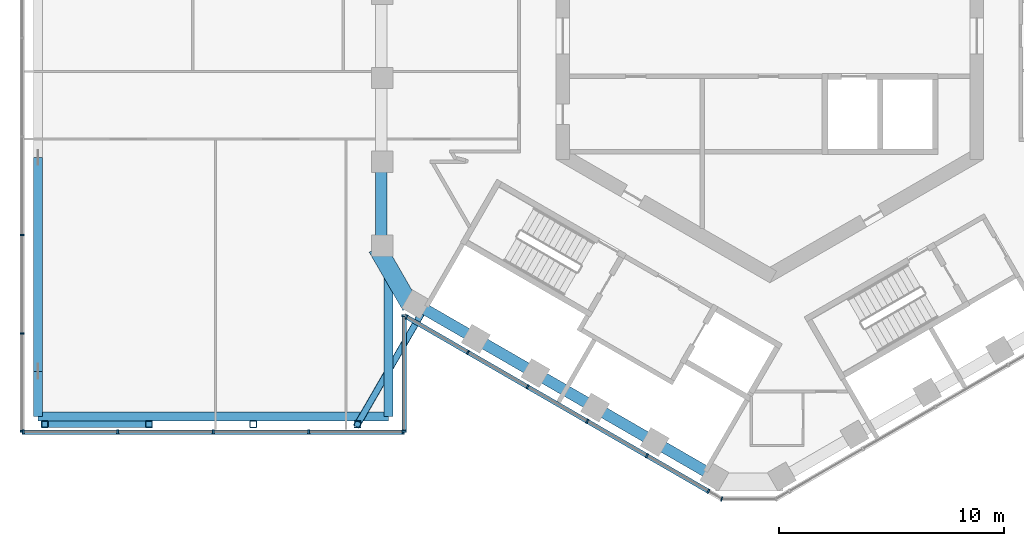
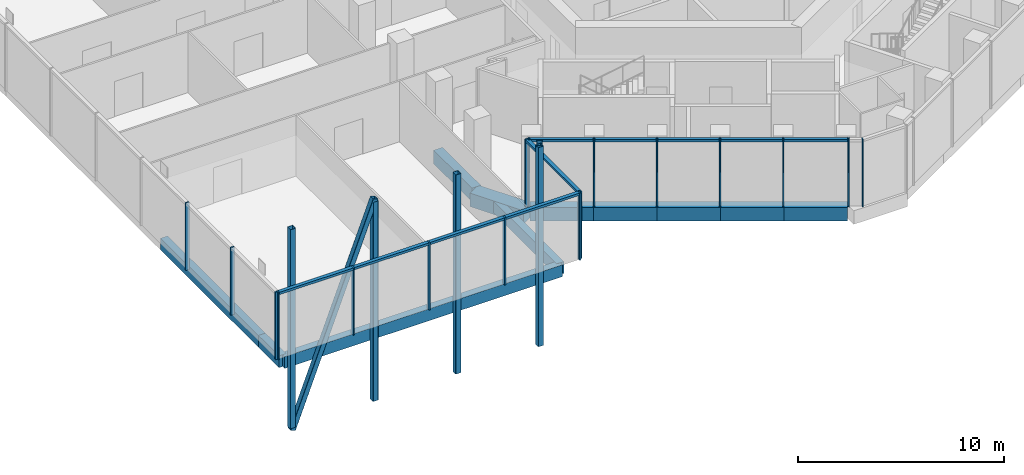
# One storey, part 2 of 21: 26 members, 11 beams, 5 elements without a shape of their own.
"""IFC4 building model written with IfcOpenShell, lengths in metres."""

from ifc_helpers import new_model, si_unit, direction, frame, origin, origin_2d, place, context, subcontext, project, spatial, rectangle, hollow_rectangle, extrude, material, layer, layer_set, material_profile, profile_set, type_object, element, aggregate, save


model = new_model("IFC4")

# Units and contexts
model_context = context("Model", 3, precision=1e-05, world=origin(), true_north=direction((0.0, 1.0)))
body_context = subcontext(model_context, "Body", "Model", "MODEL_VIEW")
ifc_project = project(units=[si_unit("LENGTHUNIT", "METRE"), si_unit("AREAUNIT", "SQUARE_METRE"), si_unit("VOLUMEUNIT", "CUBIC_METRE"), si_unit("PLANEANGLEUNIT", "RADIAN"), si_unit("MASSUNIT", "GRAM", prefix="KILO")], contexts=[model_context])

# Site, building, storey
site_placement = place(None, origin())
site = spatial("IfcSite", under=ifc_project, at=site_placement, CompositionType="ELEMENT")
building_placement = place(site_placement, origin())
building = spatial("IfcBuilding", under=site, at=building_placement, Name="Ayvan Gate Tower", CompositionType="ELEMENT")
storey_placement = place(building_placement, frame((0.0, 0.0, 206.10009765625)))
storey = spatial("IfcBuildingStorey", under=building, at=storey_placement, Name="L55", CompositionType="ELEMENT", Elevation=206.10009765625)

# Beams
ifc_material_1 = material(Name="Concrete C40/50", Category="concrete")
ifc_material_profile_1 = material_profile(ifc_material_1, rectangle(XDim=0.800048828125, YDim=0.800048828125, at=origin_2d()), Name="RC 800x800")
ifc_profile_set_1 = profile_set([ifc_material_profile_1], Name="Concrete C40/50")
beam_type_1 = type_object("IfcBeamType", Name="Corner spandrel beam RC 800x800 C40/50", PredefinedType="BEAM", material=ifc_profile_set_1)
beam_1_placement = place(storey_placement, frame((-17.458984375, -9.407958984375, -0.800048828125), z_axis=(0.499990139034, -0.866031096941, 0.0), x_axis=(0.866031096941, 0.499990139034, 0.0)))
element("IfcBeam", 1, at=beam_1_placement, inside=storey, type_object=beam_type_1, Name="SB-L55-24", PredefinedType="BEAM", context=body_context, shape_type="SweptSolid", body=[
    extrude(rectangle(XDim=0.800048828125, YDim=0.800048828125, at=origin_2d()), origin(), (0.0, 0.0, 1.0), 3.0),
])
ifc_material_profile_2 = material_profile(ifc_material_1, rectangle(XDim=0.39990234375, YDim=0.699951171875, at=origin_2d()), Name="RC 400x700")
ifc_profile_set_2 = profile_set([ifc_material_profile_2], Name="Concrete C40/50")
beam_type_2 = type_object("IfcBeamType", Name="Sky bar edge beam RC 400x700 C40/50", PredefinedType="BEAM", material=ifc_profile_set_2)
beam_2_placement = place(storey_placement, frame((-16.954345703125, -10.5029296875, -0.75), z_axis=(0.0, -1.0, 0.0), x_axis=(1.0, 0.0, 0.0)))
element("IfcBeam", 2, at=beam_2_placement, inside=storey, type_object=beam_type_2, Name="EB-B5-L55-1", PredefinedType="BEAM", context=body_context, shape_type="SweptSolid", body=[
    extrude(rectangle(XDim=0.39990234375, YDim=0.699951171875, at=origin_2d()), origin(), (0.0, 0.0, 1.0), 6.39697265625),
])
beam_3_placement = place(storey_placement, frame((-16.954345703125, -16.89990234375, -0.75), z_axis=(-1.0, 0.0, 0.0), x_axis=(0.0, -1.0, 0.0)))
element("IfcBeam", 3, at=beam_3_placement, inside=storey, type_object=beam_type_2, Name="EB-B5-L55-2", PredefinedType="BEAM", context=body_context, shape_type="SweptSolid", body=[
    extrude(rectangle(XDim=0.39990234375, YDim=0.699951171875, at=origin_2d()), origin(), (0.0, 0.0, 1.0), 15.56982421875),
])
beam_4_placement = place(storey_placement, frame((-32.524169921875, -16.89990234375, -0.75), z_axis=(0.0, 1.0, 0.0), x_axis=(-1.0, 0.0, 0.0)))
element("IfcBeam", 4, at=beam_4_placement, inside=storey, type_object=beam_type_2, Name="EB-B5-L55-3", PredefinedType="BEAM", context=body_context, shape_type="SweptSolid", body=[
    extrude(rectangle(XDim=0.39990234375, YDim=0.699951171875, at=origin_2d()), origin(), (0.0, 0.0, 1.0), 1.999755859375),
])
beam_5_placement = place(storey_placement, frame((-32.524169921875, -14.900146484375, -0.75), z_axis=(0.0, 1.0, 0.0), x_axis=(-1.0, 0.0, 0.0)))
element("IfcBeam", 5, at=beam_5_placement, inside=storey, type_object=beam_type_2, Name="EB-B5-L55-4", PredefinedType="BEAM", context=body_context, shape_type="SweptSolid", body=[
    extrude(rectangle(XDim=0.39990234375, YDim=0.699951171875, at=origin_2d()), origin(), (0.0, 0.0, 1.0), 9.5),
])

# Members
ifc_material_2 = material(Name="Steel S460NH", Category="steel")
ifc_material_profile_3 = material_profile(ifc_material_2, hollow_rectangle(XDim=0.300048828125, YDim=0.300048828125, WallThickness=0.01611328125, InnerFilletRadius=0.01611328125, OuterFilletRadius=0.02392578125, at=origin_2d()), Name="RHS 300x300x16")
ifc_profile_set_3 = profile_set([ifc_material_profile_3], Name="Steel S460NH")
member_type_1 = type_object("IfcMemberType", Name="Sky bar truss brace B5 RHS 300x300x16", PredefinedType="BRACE", material=ifc_profile_set_3)
member_1_placement = place(storey_placement, frame((-15.36474609375, -12.129150390625, -4.7001953125), z_axis=(-0.219706576253, -0.380526280187, 0.89829214092), x_axis=(0.866015917575, -0.500016430238, 0.0)))
element("IfcMember", 6, at=member_1_placement, inside=storey, type_object=member_type_1, Name="SBX5-A-D-1", PredefinedType="BRACE", context=body_context, shape_type="SweptSolid", body=[
    extrude(hollow_rectangle(XDim=0.300048828125, YDim=0.300048828125, WallThickness=0.01611328125, InnerFilletRadius=0.01611328125, OuterFilletRadius=0.02392578125, at=origin_2d()), origin(), (0.0, 0.0, 1.0), 13.47021484375),
])
member_2_placement = place(storey_placement, frame((-27.5908203125, -17.2548828125, 7.39990234375), z_axis=(-0.357611255128, 0.0, -0.93387054253), x_axis=(0.0, -1.0, 0.0)))
element("IfcMember", 7, at=member_2_placement, inside=storey, type_object=member_type_1, Name="SBX5-A-D-4", PredefinedType="BRACE", context=body_context, shape_type="SweptSolid", body=[
    extrude(hollow_rectangle(XDim=0.300048828125, YDim=0.300048828125, WallThickness=0.01611328125, InnerFilletRadius=0.01611328125, OuterFilletRadius=0.02392578125, at=origin_2d()), origin(), (0.0, 0.0, 1.0), 12.95703125),
])
ifc_material_profile_4 = material_profile(ifc_material_2, hollow_rectangle(XDim=0.300048828125, YDim=0.300048828125, WallThickness=0.012451171875, InnerFilletRadius=0.012451171875, OuterFilletRadius=0.018798828125, at=origin_2d()), Name="RHS 300x300x12.5")
ifc_profile_set_4 = profile_set([ifc_material_profile_4], Name="Steel S460NH")
member_type_2 = type_object("IfcMemberType", Name="Sky bar truss post B5 RHS 300x300x12.5", PredefinedType="POST", material=ifc_profile_set_4)
for number, where, z_axis, x_axis, name in (
    (8, (-18.32421875, -17.2548828125, -4.550048828125), (0.0, 0.0, 1.0), (1.0, 0.0, 0.0), "SBX5-A-P-1"),
    (9, (-22.95751953125, -17.2548828125, -4.550048828125), (0.0, 0.0, 1.0), (1.0, 0.0, 0.0), "SBX5-A-P-2"),
    (10, (-27.5908203125, -17.2548828125, -4.550048828125), (0.0, 0.0, 1.0), (1.0, 0.0, 0.0), "SBX5-A-P-3"),
    (11, (-32.224365234375, -17.2548828125, -4.550048828125), (0.0, 0.0, 1.0), (1.0, 0.0, 0.0), "SBX5-A-P-4"),
):
    element("IfcMember", number, at=place(storey_placement, frame(where, z_axis=z_axis, x_axis=x_axis)), inside=storey, type_object=member_type_2, Name=name, PredefinedType="POST", context=body_context, shape_type="SweptSolid", body=[
        extrude(hollow_rectangle(XDim=0.300048828125, YDim=0.300048828125, WallThickness=0.012451171875, InnerFilletRadius=0.012451171875, OuterFilletRadius=0.018798828125, at=origin_2d()), origin(), (0.0, 0.0, 1.0), 11.800048828125),
    ])

# Beams
ifc_material_profile_5 = material_profile(ifc_material_1, rectangle(XDim=0.5, YDim=0.800048828125, at=origin_2d()), Name="RC 500x800")
ifc_profile_set_5 = profile_set([ifc_material_profile_5], Name="Concrete C40/50")
beam_type_3 = type_object("IfcBeamType", Name="Spandrel beam RC 500x800 C40/50", PredefinedType="BEAM", material=ifc_profile_set_5)
beam_6_placement = place(storey_placement, frame((-17.268310546875, -5.578857421875, -0.800048828125), z_axis=(0.0, -1.0, 0.0), x_axis=(1.0, 0.0, 0.0)))
element("IfcBeam", 12, at=beam_6_placement, inside=storey, type_object=beam_type_3, Name="SB-L55-23", PredefinedType="BEAM", context=body_context, shape_type="SweptSolid", body=[
    extrude(rectangle(XDim=0.5, YDim=0.800048828125, at=origin_2d()), origin(), (0.0, 0.0, 1.0), 3.71923828125),
])
beam_7_placement = place(storey_placement, frame((-15.768310546875, -11.89599609375, -0.800048828125), z_axis=(0.865987770738, -0.500065176684, 0.0), x_axis=(0.500065176684, 0.865987770738, 0.0)))
element("IfcBeam", 13, at=beam_7_placement, inside=storey, type_object=beam_type_3, Name="SB-L55-25", PredefinedType="BEAM", context=body_context, shape_type="SweptSolid", body=[
    extrude(rectangle(XDim=0.5, YDim=0.800048828125, at=origin_2d()), origin(), (0.0, 0.0, 1.0), 3.0830078125),
])
beam_8_placement = place(storey_placement, frame((-13.098388671875, -13.437744140625, -0.800048828125), z_axis=(0.866041857893, -0.499971499565, 0.0), x_axis=(0.499971499565, 0.866041857893, 0.0)))
element("IfcBeam", 14, at=beam_8_placement, inside=storey, type_object=beam_type_3, Name="SB-L55-26", PredefinedType="BEAM", context=body_context, shape_type="SweptSolid", body=[
    extrude(rectangle(XDim=0.5, YDim=0.800048828125, at=origin_2d()), origin(), (0.0, 0.0, 1.0), 3.083251953125),
])
beam_9_placement = place(storey_placement, frame((-10.42822265625, -14.979248046875, -0.800048828125), z_axis=(0.866022061966, -0.500005788154, 0.0), x_axis=(0.500005788154, 0.866022061966, 0.0)))
element("IfcBeam", 15, at=beam_9_placement, inside=storey, type_object=beam_type_3, Name="SB-L55-27", PredefinedType="BEAM", context=body_context, shape_type="SweptSolid", body=[
    extrude(rectangle(XDim=0.5, YDim=0.800048828125, at=origin_2d()), origin(), (0.0, 0.0, 1.0), 3.0830078125),
])
beam_10_placement = place(storey_placement, frame((-7.75830078125, -16.520751953125, -0.800048828125), z_axis=(0.866041857893, -0.499971499565, 0.0), x_axis=(0.499971499565, 0.866041857893, 0.0)))
element("IfcBeam", 16, at=beam_10_placement, inside=storey, type_object=beam_type_3, Name="SB-L55-28", PredefinedType="BEAM", context=body_context, shape_type="SweptSolid", body=[
    extrude(rectangle(XDim=0.5, YDim=0.800048828125, at=origin_2d()), origin(), (0.0, 0.0, 1.0), 3.083251953125),
])
beam_11_placement = place(storey_placement, frame((-5.088134765625, -18.062255859375, -0.800048828125), z_axis=(0.865987770738, -0.500065176684, 0.0), x_axis=(0.500065176684, 0.865987770738, 0.0)))
element("IfcBeam", 17, at=beam_11_placement, inside=storey, type_object=beam_type_3, Name="SB-L55-29", PredefinedType="BEAM", context=body_context, shape_type="SweptSolid", body=[
    extrude(rectangle(XDim=0.5, YDim=0.800048828125, at=origin_2d()), origin(), (0.0, 0.0, 1.0), 3.0830078125),
])

# Curtain wall, members
ifc_material_3 = material(Name="Bronze anodised aluminium", Category="aluminium")
ifc_layer_1 = layer(ifc_material_3, 0.199951171875)
ifc_layer_set_1 = layer_set([ifc_layer_1], Name="Bronze anodised aluminium")
curtain_wall_type_1 = type_object("IfcCurtainWallType", Name="Stick curtain wall CW-2", PredefinedType="NOTDEFINED", material=ifc_layer_set_1)
curtain_wall_1_placement = place(storey_placement, origin())
curtain_wall_1 = element("IfcCurtainWall", 18, at=curtain_wall_1_placement, inside=storey, type_object=curtain_wall_type_1, Name="Stick curtain wall CW-2 L55", PredefinedType="NOTDEFINED")
ifc_material_profile_6 = material_profile(ifc_material_3, rectangle(XDim=0.199951171875, YDim=0.070068359375, at=origin_2d()), Name="Stick curtain wall CW-2 mullion 200 x 70")
ifc_profile_set_6 = profile_set([ifc_material_profile_6], Name="Bronze anodised aluminium")
member_type_3 = type_object("IfcMemberType", Name="Stick curtain wall CW-2 mullion 200 x 70", PredefinedType="MULLION", material=ifc_profile_set_6)
member_3_placement = place(storey_placement, frame((-16.154052734375, -12.48193359375, 0.0), z_axis=(0.0, 0.0, 1.0), x_axis=(-0.5, -0.866025403784, 0.0)))
member_3 = element("IfcMember", 19, at=member_3_placement, type_object=member_type_3, Name="CW-2 mullion 1", PredefinedType="MULLION", context=body_context, shape_type="SweptSolid", body=[
    extrude(rectangle(XDim=0.199951171875, YDim=0.070068359375, at=origin_2d()), origin(), (0.0, 0.0, 1.0), 4.0),
])
member_4_placement = place(storey_placement, frame((-13.4189453125, -14.060791015625, 0.0), z_axis=(0.0, 0.0, 1.0), x_axis=(-0.5, -0.866025403784, 0.0)))
member_4 = element("IfcMember", 20, at=member_4_placement, type_object=member_type_3, Name="CW-2 mullion 2", PredefinedType="MULLION", context=body_context, shape_type="SweptSolid", body=[
    extrude(rectangle(XDim=0.199951171875, YDim=0.070068359375, at=origin_2d()), origin(), (0.0, 0.0, 1.0), 4.0),
])
member_5_placement = place(storey_placement, frame((-10.76806640625, -15.59130859375, 0.0), z_axis=(0.0, 0.0, 1.0), x_axis=(-0.5, -0.866025403784, 0.0)))
member_5 = element("IfcMember", 21, at=member_5_placement, type_object=member_type_3, Name="CW-2 mullion 3", PredefinedType="MULLION", context=body_context, shape_type="SweptSolid", body=[
    extrude(rectangle(XDim=0.199951171875, YDim=0.070068359375, at=origin_2d()), origin(), (0.0, 0.0, 1.0), 4.0),
])
member_6_placement = place(storey_placement, frame((-8.1181640625, -17.121337890625, 0.0), z_axis=(0.0, 0.0, 1.0), x_axis=(-0.5, -0.866025403784, 0.0)))
member_6 = element("IfcMember", 22, at=member_6_placement, type_object=member_type_3, Name="CW-2 mullion 4", PredefinedType="MULLION", context=body_context, shape_type="SweptSolid", body=[
    extrude(rectangle(XDim=0.199951171875, YDim=0.070068359375, at=origin_2d()), origin(), (0.0, 0.0, 1.0), 4.0),
])
member_7_placement = place(storey_placement, frame((-5.46728515625, -18.65185546875, 0.0), z_axis=(0.0, 0.0, 1.0), x_axis=(-0.5, -0.866025403784, 0.0)))
member_7 = element("IfcMember", 23, at=member_7_placement, type_object=member_type_3, Name="CW-2 mullion 5", PredefinedType="MULLION", context=body_context, shape_type="SweptSolid", body=[
    extrude(rectangle(XDim=0.199951171875, YDim=0.070068359375, at=origin_2d()), origin(), (0.0, 0.0, 1.0), 4.0),
])
member_8_placement = place(storey_placement, frame((-2.732666015625, -20.230712890625, 0.0), z_axis=(0.0, 0.0, 1.0), x_axis=(-0.5, -0.866025403784, 0.0)))
member_8 = element("IfcMember", 24, at=member_8_placement, type_object=member_type_3, Name="CW-2 mullion 6", PredefinedType="MULLION", context=body_context, shape_type="SweptSolid", body=[
    extrude(rectangle(XDim=0.199951171875, YDim=0.070068359375, at=origin_2d()), origin(), (0.0, 0.0, 1.0), 4.0),
])
ifc_material_profile_7 = material_profile(ifc_material_3, rectangle(XDim=0.199951171875, YDim=0.1201171875, at=origin_2d()), Name="Stick curtain wall CW-2 transom 200 x 120")
ifc_profile_set_7 = profile_set([ifc_material_profile_7], Name="Bronze anodised aluminium")
member_type_4 = type_object("IfcMemberType", Name="Stick curtain wall CW-2 transom 200 x 120", PredefinedType="USERDEFINED", material=ifc_profile_set_7)
member_9_placement = place(storey_placement, frame((-16.154052734375, -12.48193359375, 3.93994140625), z_axis=(0.866027134363, -0.499997002538, 0.0), x_axis=(0.499997002538, 0.866027134363, 0.0)))
member_9 = element("IfcMember", 25, at=member_9_placement, type_object=member_type_4, Name="CW-2 transom 1", ObjectType="TRANSOM", PredefinedType="USERDEFINED", context=body_context, shape_type="SweptSolid", body=[
    extrude(rectangle(XDim=0.199951171875, YDim=0.1201171875, at=origin_2d()), origin(), (0.0, 0.0, 1.0), 15.49755859375),
])
aggregate(curtain_wall_1, [member_3, member_4, member_5, member_6, member_7, member_8, member_9])

ifc_layer_2 = layer(ifc_material_3, 0.199951171875)
ifc_layer_set_2 = layer_set([ifc_layer_2], Name="Bronze anodised aluminium")
curtain_wall_type_2 = type_object("IfcCurtainWallType", Name="Stick curtain wall CW-4", PredefinedType="NOTDEFINED", material=ifc_layer_set_2)
curtain_wall_2_placement = place(storey_placement, origin())
curtain_wall_2 = element("IfcCurtainWall", 26, at=curtain_wall_2_placement, inside=storey, type_object=curtain_wall_type_2, Name="Stick curtain wall CW-4 L55", PredefinedType="NOTDEFINED")
ifc_material_profile_8 = material_profile(ifc_material_3, rectangle(XDim=0.199951171875, YDim=0.080078125, at=origin_2d()), Name="Stick curtain wall CW-4 mullion 200 x 80")
ifc_profile_set_8 = profile_set([ifc_material_profile_8], Name="Bronze anodised aluminium")
member_type_5 = type_object("IfcMemberType", Name="Stick curtain wall CW-4 mullion 200 x 80", PredefinedType="MULLION", material=ifc_profile_set_8)
member_10_placement = place(storey_placement, frame((-33.224365234375, -8.844482421875, 0.0), z_axis=(0.0, 0.0, 1.0), x_axis=(-1.0, 0.0, 0.0)))
member_10 = element("IfcMember", 27, at=member_10_placement, type_object=member_type_5, Name="CW-4 mullion 8", PredefinedType="MULLION", context=body_context, shape_type="SweptSolid", body=[
    extrude(rectangle(XDim=0.199951171875, YDim=0.080078125, at=origin_2d()), origin(), (0.0, 0.0, 1.0), 4.0),
])
member_11_placement = place(storey_placement, frame((-33.224365234375, -13.22216796875, 0.0), z_axis=(0.0, 0.0, 1.0), x_axis=(-1.0, 0.0, 0.0)))
member_11 = element("IfcMember", 28, at=member_11_placement, type_object=member_type_5, Name="CW-4 mullion 9", PredefinedType="MULLION", context=body_context, shape_type="SweptSolid", body=[
    extrude(rectangle(XDim=0.199951171875, YDim=0.080078125, at=origin_2d()), origin(), (0.0, 0.0, 1.0), 4.0),
])
member_12_placement = place(storey_placement, frame((-33.224365234375, -17.56005859375, 0.0), z_axis=(0.0, 0.0, 1.0), x_axis=(-1.0, 0.0, 0.0)))
member_12 = element("IfcMember", 29, at=member_12_placement, type_object=member_type_5, Name="CW-4 mullion 10", PredefinedType="MULLION", context=body_context, shape_type="SweptSolid", body=[
    extrude(rectangle(XDim=0.199951171875, YDim=0.080078125, at=origin_2d()), origin(), (0.0, 0.0, 1.0), 4.0),
])
aggregate(curtain_wall_2, [member_10, member_11, member_12])

curtain_wall_3_placement = place(storey_placement, origin())
curtain_wall_3 = element("IfcCurtainWall", 30, at=curtain_wall_3_placement, inside=storey, type_object=curtain_wall_type_2, Name="Stick curtain wall CW-4 L55", PredefinedType="NOTDEFINED")
member_13_placement = place(storey_placement, frame((-33.184326171875, -17.60009765625, 0.0), z_axis=(0.0, 0.0, 1.0), x_axis=(0.0, -1.0, 0.0)))
member_13 = element("IfcMember", 31, at=member_13_placement, type_object=member_type_5, Name="CW-4 mullion 1", PredefinedType="MULLION", context=body_context, shape_type="SweptSolid", body=[
    extrude(rectangle(XDim=0.199951171875, YDim=0.080078125, at=origin_2d()), origin(), (0.0, 0.0, 1.0), 4.0),
])
member_14_placement = place(storey_placement, frame((-28.981689453125, -17.60009765625, 0.0), z_axis=(0.0, 0.0, 1.0), x_axis=(0.0, -1.0, 0.0)))
member_14 = element("IfcMember", 32, at=member_14_placement, type_object=member_type_5, Name="CW-4 mullion 2", PredefinedType="MULLION", context=body_context, shape_type="SweptSolid", body=[
    extrude(rectangle(XDim=0.199951171875, YDim=0.080078125, at=origin_2d()), origin(), (0.0, 0.0, 1.0), 4.0),
])
member_15_placement = place(storey_placement, frame((-24.7392578125, -17.60009765625, 0.0), z_axis=(0.0, 0.0, 1.0), x_axis=(0.0, -1.0, 0.0)))
member_15 = element("IfcMember", 33, at=member_15_placement, type_object=member_type_5, Name="CW-4 mullion 3", PredefinedType="MULLION", context=body_context, shape_type="SweptSolid", body=[
    extrude(rectangle(XDim=0.199951171875, YDim=0.080078125, at=origin_2d()), origin(), (0.0, 0.0, 1.0), 4.0),
])
member_16_placement = place(storey_placement, frame((-20.496826171875, -17.60009765625, 0.0), z_axis=(0.0, 0.0, 1.0), x_axis=(0.0, -1.0, 0.0)))
member_16 = element("IfcMember", 34, at=member_16_placement, type_object=member_type_5, Name="CW-4 mullion 4", PredefinedType="MULLION", context=body_context, shape_type="SweptSolid", body=[
    extrude(rectangle(XDim=0.199951171875, YDim=0.080078125, at=origin_2d()), origin(), (0.0, 0.0, 1.0), 4.0),
])
member_17_placement = place(storey_placement, frame((-16.29443359375, -17.60009765625, 0.0), z_axis=(0.0, 0.0, 1.0), x_axis=(0.0, -1.0, 0.0)))
member_17 = element("IfcMember", 35, at=member_17_placement, type_object=member_type_5, Name="CW-4 mullion 5", PredefinedType="MULLION", context=body_context, shape_type="SweptSolid", body=[
    extrude(rectangle(XDim=0.199951171875, YDim=0.080078125, at=origin_2d()), origin(), (0.0, 0.0, 1.0), 4.0),
])

curtain_wall_4_placement = place(storey_placement, origin())
curtain_wall_4 = element("IfcCurtainWall", 36, at=curtain_wall_4_placement, inside=storey, type_object=curtain_wall_type_2, Name="Stick curtain wall CW-4 L55", PredefinedType="NOTDEFINED")
member_18_placement = place(storey_placement, frame((-16.25439453125, -17.56005859375, 0.0), z_axis=(0.0, 0.0, 1.0), x_axis=(1.0, 0.0, 0.0)))
member_18 = element("IfcMember", 37, at=member_18_placement, type_object=member_type_5, Name="CW-4 mullion 1", PredefinedType="MULLION", context=body_context, shape_type="SweptSolid", body=[
    extrude(rectangle(XDim=0.199951171875, YDim=0.080078125, at=origin_2d()), origin(), (0.0, 0.0, 1.0), 4.0),
])
member_19_placement = place(storey_placement, frame((-16.25439453125, -12.43408203125, 0.0), z_axis=(0.0, 0.0, 1.0), x_axis=(1.0, 0.0, 0.0)))
member_19 = element("IfcMember", 38, at=member_19_placement, type_object=member_type_5, Name="CW-4 mullion 2", PredefinedType="MULLION", context=body_context, shape_type="SweptSolid", body=[
    extrude(rectangle(XDim=0.199951171875, YDim=0.080078125, at=origin_2d()), origin(), (0.0, 0.0, 1.0), 4.0),
])

# Member
ifc_material_profile_9 = material_profile(ifc_material_3, rectangle(XDim=0.199951171875, YDim=0.139892578125, at=origin_2d()), Name="Stick curtain wall CW-4 transom 200 x 140")
ifc_profile_set_9 = profile_set([ifc_material_profile_9], Name="Bronze anodised aluminium")
member_type_6 = type_object("IfcMemberType", Name="Stick curtain wall CW-4 transom 200 x 140", PredefinedType="USERDEFINED", material=ifc_profile_set_9)
member_20_placement = place(storey_placement, frame((-33.184326171875, -17.60009765625, 3.929931640625), z_axis=(1.0, 0.0, 0.0), x_axis=(0.0, 1.0, 0.0)))
member_20 = element("IfcMember", 39, at=member_20_placement, type_object=member_type_6, Name="CW-4 transom 1", ObjectType="TRANSOM", PredefinedType="USERDEFINED", context=body_context, shape_type="SweptSolid", body=[
    extrude(rectangle(XDim=0.199951171875, YDim=0.139892578125, at=origin_2d()), origin(), (0.0, 0.0, 1.0), 16.889892578125),
])

aggregate(curtain_wall_3, [member_13, member_14, member_15, member_16, member_17, member_20])

member_21_placement = place(storey_placement, frame((-16.25439453125, -17.56005859375, 3.929931640625), z_axis=(0.0, 1.0, 0.0), x_axis=(-1.0, 0.0, 0.0)))
member_21 = element("IfcMember", 40, at=member_21_placement, type_object=member_type_6, Name="CW-4 transom 1", ObjectType="TRANSOM", PredefinedType="USERDEFINED", context=body_context, shape_type="SweptSolid", body=[
    extrude(rectangle(XDim=0.199951171875, YDim=0.139892578125, at=origin_2d()), origin(), (0.0, 0.0, 1.0), 5.1259765625),
])

aggregate(curtain_wall_4, [member_18, member_19, member_21])

# Curtain wall, member
ifc_layer_3 = layer(ifc_material_3, 0.199951171875)
ifc_layer_set_3 = layer_set([ifc_layer_3], Name="Bronze anodised aluminium")
curtain_wall_type_3 = type_object("IfcCurtainWallType", Name="Stick curtain wall CW-6", PredefinedType="NOTDEFINED", material=ifc_layer_set_3)
curtain_wall_5_placement = place(storey_placement, origin())
curtain_wall_5 = element("IfcCurtainWall", 41, at=curtain_wall_5_placement, inside=storey, type_object=curtain_wall_type_3, Name="Stick curtain wall CW-6 L55", PredefinedType="NOTDEFINED")
ifc_material_profile_10 = material_profile(ifc_material_3, rectangle(XDim=0.199951171875, YDim=0.050048828125, at=origin_2d()), Name="Stick curtain wall CW-6 mullion 200 x 50")
ifc_profile_set_10 = profile_set([ifc_material_profile_10], Name="Bronze anodised aluminium")
member_type_7 = type_object("IfcMemberType", Name="Stick curtain wall CW-6 mullion 200 x 50", PredefinedType="MULLION", material=ifc_profile_set_10)
member_22_placement = place(storey_placement, frame((-2.139404296875, -20.5732421875, 0.0), z_axis=(0.0, 0.0, 1.0), x_axis=(-0.258819045103, -0.965925826289, 0.0)))
member_22 = element("IfcMember", 42, at=member_22_placement, type_object=member_type_7, Name="CW-6 mullion 2", PredefinedType="MULLION", context=body_context, shape_type="SweptSolid", body=[
    extrude(rectangle(XDim=0.199951171875, YDim=0.050048828125, at=origin_2d()), origin(), (0.0, 0.0, 1.0), 4.0),
])
aggregate(curtain_wall_5, [member_22])

save(model, "model.ifc")
